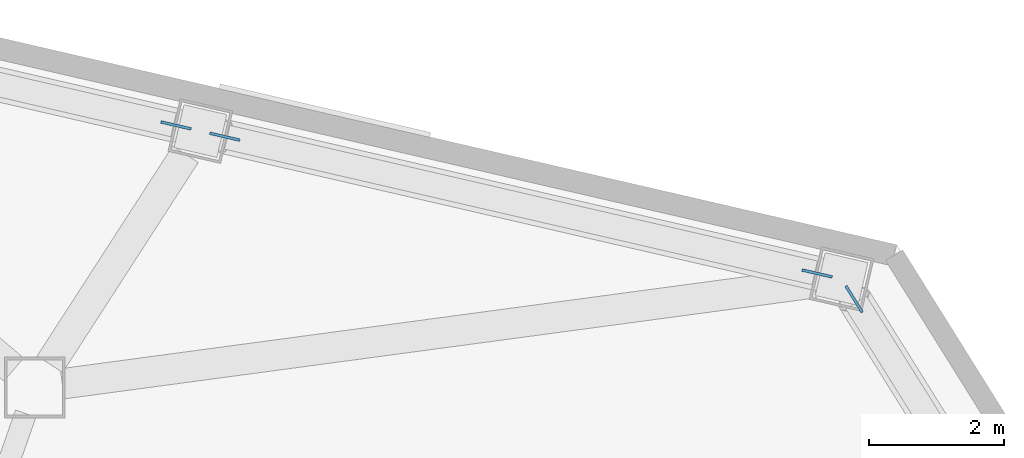
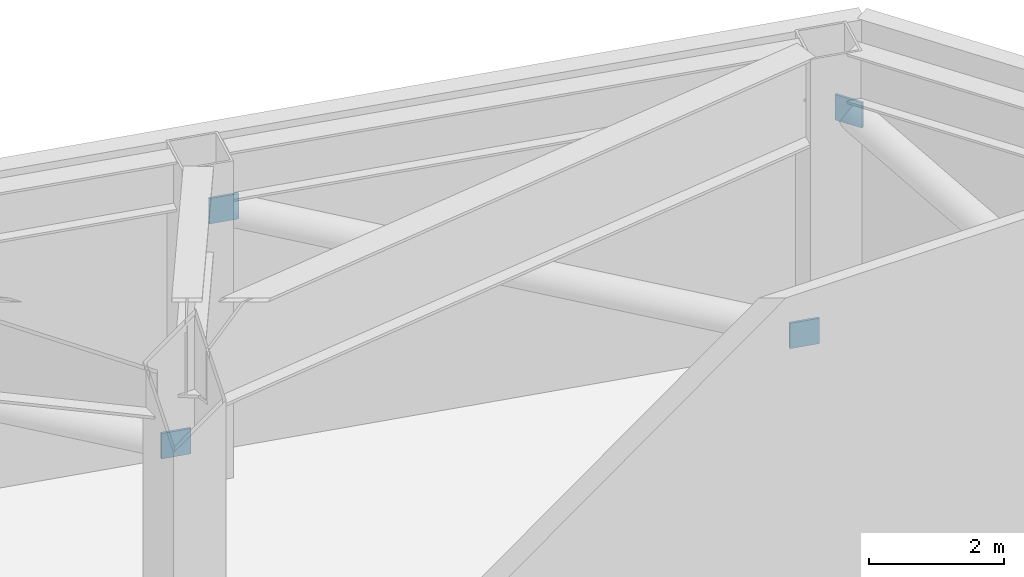
# One storey, part 14 of 15: 4 discrete accessories.
"""IFC4 building model written with IfcOpenShell, lengths in metres."""

import ifcopenshell
import ifcopenshell.guid

model = None  # the IFC model being written
_history = None  # IfcOwnerHistory: only IFC2X3 demands one
_inside = {}  # id of a spatial element -> (the spatial element, [elements in it])
_under = {}  # id of a project, library or spatial element -> (it, [spatial elements below it])
_declared = {}  # id of a project -> (the project, [libraries it declares])
_typed = {}  # id of a type object -> (the type object, [elements of that type])
_made_of = {}  # id of a material, layer set ... -> (it, [elements and type objects made of it])


def new_model(schema):
    """Start an empty IFC model of exactly this schema.

    Asked for "IFC4X3", IfcOpenShell would pick the latest addendum, in which some entities
    have other attributes; the version numbers below select the first issue.
    IFC2X3 requires an IfcOwnerHistory on every rooted entity: one is made here for all.
    """
    global model, _history
    if schema == "IFC4X3":
        model = ifcopenshell.file(schema_version=(4, 3, 0, 0))
    else:
        model = ifcopenshell.file(schema=schema)
    _inside.clear()
    _under.clear()
    _declared.clear()
    _typed.clear()
    _made_of.clear()
    _history = None
    if model.schema == "IFC2X3":
        org = make("IfcOrganization", Name="unknown")
        user = make(
            "IfcPersonAndOrganization",
            ThePerson=make("IfcPerson", FamilyName="unknown"),
            TheOrganization=org,
        )
        app = make(
            "IfcApplication",
            ApplicationDeveloper=org,
            Version="unknown",
            ApplicationFullName="unknown",
            ApplicationIdentifier="unknown",
        )
        _history = make(
            "IfcOwnerHistory",
            OwningUser=user,
            OwningApplication=app,
            ChangeAction="ADDED",
            CreationDate=0,
        )
    return model


def make(cls, **values):
    """One entity of the class cls with the attributes given. An attribute that is None is left unset."""
    return model.create_entity(
        cls, **{name: value for name, value in values.items() if value is not None}
    )


def rooted(cls, **values):
    """An entity with a GlobalId (a new one), such as an element, a storey or a relation."""
    return make(cls, GlobalId=ifcopenshell.guid.new(), OwnerHistory=_history, **values)


def si_unit(unit_type, name, prefix=None):
    """IfcSIUnit, for example si_unit("LENGTHUNIT", "METRE", prefix="MILLI")."""
    return make("IfcSIUnit", UnitType=unit_type, Prefix=prefix, Name=name)


def assignment(units):
    """IfcUnitAssignment: the units of a project."""
    return None if units is None else make("IfcUnitAssignment", Units=units)


def point(xyz):
    """IfcCartesianPoint."""
    return None if xyz is None else make("IfcCartesianPoint", Coordinates=xyz)


def direction(xyz):
    """IfcDirection."""
    return None if xyz is None else make("IfcDirection", DirectionRatios=xyz)


def frame(location, z_axis=None, x_axis=None):
    """IfcAxis2Placement3D, a coordinate frame: its origin and axes. An axis left out is left unset."""
    return make(
        "IfcAxis2Placement3D",
        Location=point(location),
        Axis=direction(z_axis),
        RefDirection=direction(x_axis),
    )


def frame_2d(location, x_axis=None):
    """IfcAxis2Placement2D, a coordinate frame in the plane: its origin and x axis."""
    return make(
        "IfcAxis2Placement2D", Location=point(location), RefDirection=direction(x_axis)
    )


def origin():
    """The frame at (0, 0, 0) with its axes left unset."""
    return frame((0.0, 0.0, 0.0))


def origin_2d():
    """The frame at (0, 0) in the plane with its x axis left unset."""
    return frame_2d((0.0, 0.0))


def place(relative_to, where):
    """IfcLocalPlacement: puts the frame where relative to a parent placement (None: the world)."""
    return make(
        "IfcLocalPlacement", PlacementRelTo=relative_to, RelativePlacement=where
    )


def context(
    kind, dimensions, precision=None, world=None, true_north=None, identifier=None
):
    """IfcGeometricRepresentationContext, for example the 3D "Model" context."""
    return make(
        "IfcGeometricRepresentationContext",
        ContextIdentifier=identifier,
        ContextType=kind,
        CoordinateSpaceDimension=dimensions,
        Precision=precision,
        WorldCoordinateSystem=world,
        TrueNorth=true_north,
    )


def subcontext(parent, identifier, kind, view, scale=None):
    """IfcGeometricRepresentationSubContext, for example "Body" below "Model"."""
    return make(
        "IfcGeometricRepresentationSubContext",
        ContextIdentifier=identifier,
        ContextType=kind,
        ParentContext=parent,
        TargetScale=scale,
        TargetView=view,
    )


def project(units=None, contexts=None):
    """IfcProject with its units and contexts."""
    return rooted(
        "IfcProject",
        Name="project",
        RepresentationContexts=contexts,
        UnitsInContext=assignment(units),
    )


def spatial(cls, under=None, at=None, **own):
    """A site, building, storey or space (cls), placed at a placement, below another one or the project."""
    s = rooted(cls, ObjectPlacement=at, **own)
    if under is not None:
        _under.setdefault(under.id(), (under, []))[1].append(s)
    return s


def profile(cls, at=None, kind="AREA", **sizes):
    """A parametric profile (cls). Its sizes go by their IFC names, for example OverallWidth=200.0."""
    return make(cls, ProfileType=kind, Position=at, **sizes)


def rectangle(**sizes):
    """IfcRectangleProfileDef."""
    return profile("IfcRectangleProfileDef", **sizes)


def extrude(swept, where, along, depth):
    """IfcExtrudedAreaSolid: the profile swept, set in the frame where, extruded along a direction by depth."""
    return make(
        "IfcExtrudedAreaSolid",
        SweptArea=swept,
        Position=where,
        ExtrudedDirection=direction(along),
        Depth=depth,
    )


def shape(context_of_items, identifier, shape_type, items):
    """IfcShapeRepresentation: the items that make up one representation, for example the "Body"."""
    return make(
        "IfcShapeRepresentation",
        ContextOfItems=context_of_items,
        RepresentationIdentifier=identifier,
        RepresentationType=shape_type,
        Items=items,
    )


def material(Name=None, Category=None):
    """IfcMaterial."""
    return make("IfcMaterial", Name=Name, Category=Category)


def made_of(thing, what):
    """Note that an element or type object is made of a material, layer set ...; save() writes the relation."""
    if what is not None:
        _made_of.setdefault(what.id(), (what, []))[1].append(thing)
    return thing


def type_object(cls, material=None, **own):
    """A type object (cls), such as IfcWallType, which elements share."""
    return made_of(rooted(cls, **own), material)


def element(
    cls,
    number,
    at=None,
    inside=None,
    cuts=None,
    type_object=None,
    material=None,
    context=None,
    identifier="Body",
    shape_type=None,
    held_by="IfcProductDefinitionShape",
    body=None,
    shapes=None,
    **own,
):
    """One element of the class cls, such as IfcWall. Its Tag is "e" and its number.

    at: its placement. inside: the storey or other place that contains it. cuts: it is an
    opening in that element (IfcRelVoidsElement). A single representation is given by context,
    identifier, shape_type and body (its items); several are given by shapes. held_by: the class
    of the entity that holds the representations. save() writes the other relations.
    """
    e = rooted(cls, Tag="e%d" % number, ObjectPlacement=at, **own)
    if body is not None:
        shapes = [shape(context, identifier, shape_type, body)]
    if shapes is not None:
        e.Representation = make(held_by, Representations=shapes)
    if inside is not None:
        _inside.setdefault(inside.id(), (inside, []))[1].append(e)
    if cuts is not None:
        rooted(
            "IfcRelVoidsElement", RelatingBuildingElement=cuts, RelatedOpeningElement=e
        )
    if type_object is not None:
        _typed.setdefault(type_object.id(), (type_object, []))[1].append(e)
    return made_of(e, material)


def aggregate(whole, parts):
    """IfcRelAggregates: a whole, such as a stair, and the parts it consists of."""
    return rooted("IfcRelAggregates", RelatingObject=whole, RelatedObjects=parts)


def save(model, path):
    """Write the relations noted so far, then the file.

    IfcRelAggregates (storeys below a building ...), IfcRelContainedInSpatialStructure (elements
    in a storey), IfcRelDefinesByType, IfcRelAssociatesMaterial and IfcRelDeclares: one each for
    every whole, place, type object, material and project.
    """
    for whole, parts in _under.values():
        aggregate(whole, parts)
    for where, things in _inside.values():
        rooted(
            "IfcRelContainedInSpatialStructure",
            RelatedElements=things,
            RelatingStructure=where,
        )
    for kind, things in _typed.values():
        rooted("IfcRelDefinesByType", RelatedObjects=things, RelatingType=kind)
    for what, things in _made_of.values():
        rooted("IfcRelAssociatesMaterial", RelatedObjects=things, RelatingMaterial=what)
    for by, libraries in _declared.values():
        rooted("IfcRelDeclares", RelatingContext=by, RelatedDefinitions=libraries)
    model.write(path)


model = new_model("IFC4")

# Units and contexts
model_context = context("Model", 3, precision=1e-05, world=origin(), true_north=direction((0.0, 1.0)))
body_context = subcontext(model_context, "Body", "Model", "MODEL_VIEW")
ifc_project = project(units=[si_unit("LENGTHUNIT", "METRE"), si_unit("AREAUNIT", "SQUARE_METRE"), si_unit("VOLUMEUNIT", "CUBIC_METRE"), si_unit("PLANEANGLEUNIT", "RADIAN"), si_unit("MASSUNIT", "GRAM", prefix="KILO")], contexts=[model_context])

# Site, building, storey
site_placement = place(None, origin())
site = spatial("IfcSite", under=ifc_project, at=site_placement, CompositionType="ELEMENT")
building_placement = place(site_placement, origin())
building = spatial("IfcBuilding", under=site, at=building_placement, Name="Tavrogorsk Clinical Tower", CompositionType="ELEMENT")
storey_placement = place(building_placement, frame((0.0, 0.0, 33.39990234375)))
storey = spatial("IfcBuildingStorey", under=building, at=storey_placement, Name="L06", CompositionType="ELEMENT", Elevation=33.39990234375)

# Discrete accessories
ifc_material = material(Name="Structural steel S440", Category="steel")
discrete_accessory_type = type_object("IfcDiscreteAccessoryType", Name="GussetPlateBracket_25", PredefinedType="BRACKET", material=ifc_material)
for number, where, z_axis, x_axis, name in (
    (1, (36.636474609375, 14.509765625, 4.34912109375), (0.0, 0.0, 1.0), (-0.529919264233, 0.848048096156, 0.0), "L06 Brace Gusset Plate EXOBELT-L06-13-B"),
    (2, (36.089599609375, 14.889404296875, 0.289306640625), (0.0, 0.0, 1.0), (-0.974370064785, 0.224951054344, 0.0), "L06 Brace Gusset Plate EXOBELT-L06-14-A"),
    (3, (27.314208984375, 16.915283203125, 4.39111328125), (0.0, 0.0, 1.0), (-0.974370064785, 0.224951054344, 0.0), "L06 Brace Gusset Plate EXOBELT-L06-14-B"),
    (4, (26.5908203125, 17.08251953125, 0.289306640625), (0.0, 0.0, 1.0), (-0.974370064785, 0.224951054344, 0.0), "L06 Brace Gusset Plate EXOBELT-L06-15-A"),
):
    element("IfcDiscreteAccessory", number, at=place(storey_placement, frame(where, z_axis=z_axis, x_axis=x_axis)), inside=storey, type_object=discrete_accessory_type, Name=name, PredefinedType="BRACKET", context=body_context, shape_type="SweptSolid", body=[
        extrude(rectangle(XDim=0.4599609375, YDim=0.0400390625, at=origin_2d()), origin(), (0.0, 0.0, 1.0), 0.4599609375),
    ])

save(model, "model.ifc")
